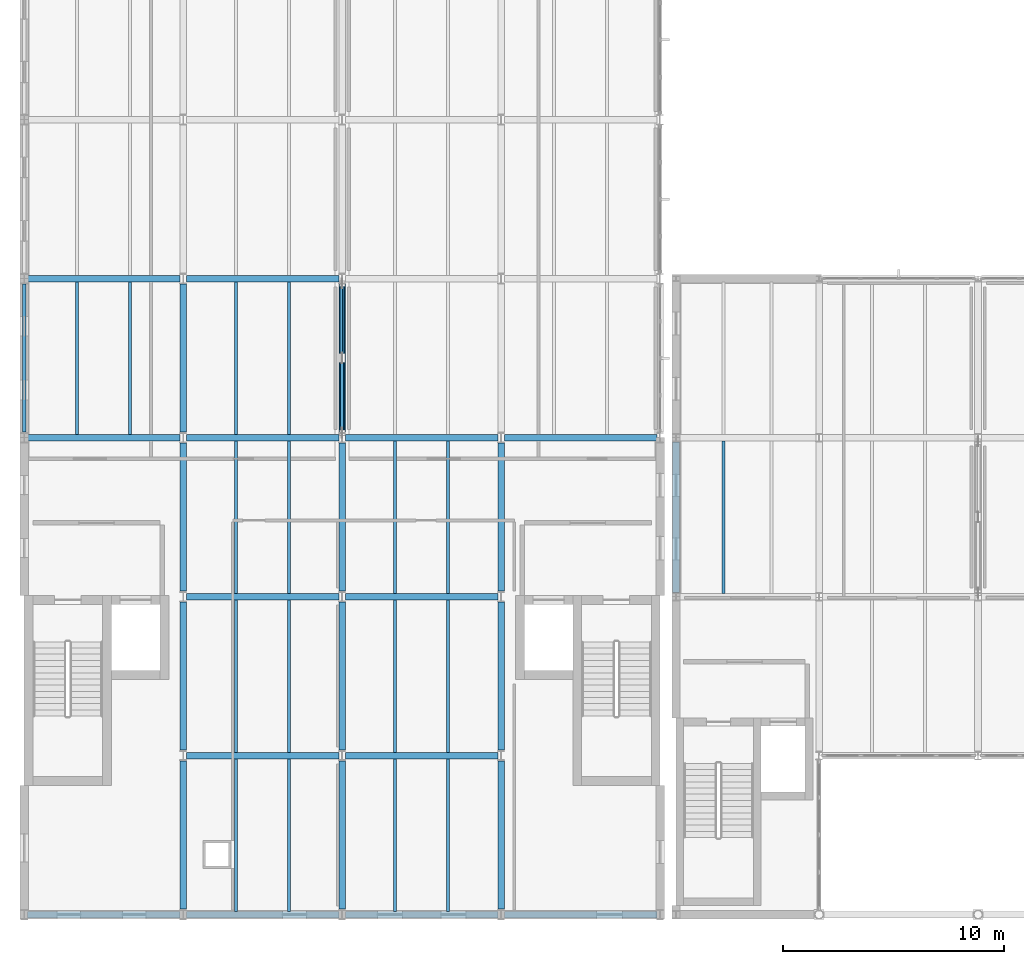
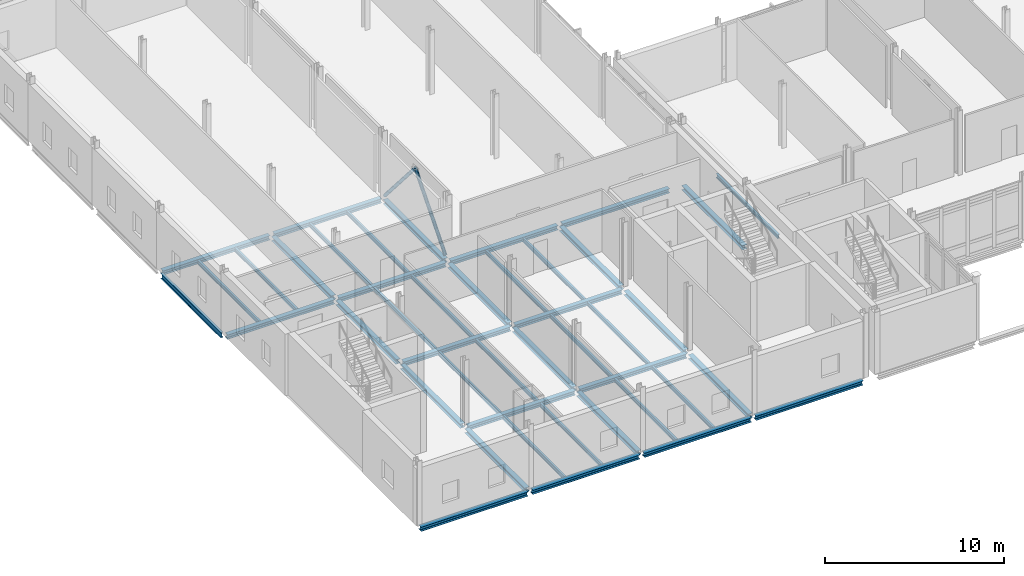
# One storey, part 13 of 72: 44 beams, 2 members.
"""IFC4 building model written with IfcOpenShell, lengths in metres."""

from ifc_helpers import new_model, si_unit, direction, frame, origin, origin_2d, place, context, subcontext, project, spatial, hollow_circle, i_section, extrude, material, material_profile, profile_set, type_object, element, save


model = new_model("IFC4")

# Units and contexts
model_context = context("Model", 3, precision=1e-05, world=origin(), true_north=direction((0.0, 1.0)))
body_context = subcontext(model_context, "Body", "Model", "MODEL_VIEW")
ifc_project = project(units=[si_unit("LENGTHUNIT", "METRE"), si_unit("AREAUNIT", "SQUARE_METRE"), si_unit("VOLUMEUNIT", "CUBIC_METRE"), si_unit("PLANEANGLEUNIT", "RADIAN"), si_unit("MASSUNIT", "GRAM", prefix="KILO")], contexts=[model_context])

# Site, building, storey
site_placement = place(None, origin())
site = spatial("IfcSite", under=ifc_project, at=site_placement, CompositionType="ELEMENT")
building_placement = place(site_placement, origin())
building = spatial("IfcBuilding", under=site, at=building_placement, Name="Zarrinpeak Specialist Clinic", CompositionType="ELEMENT")
storey_placement = place(building_placement, frame((0.0, 0.0, 9.60009765625)))
storey = spatial("IfcBuildingStorey", under=building, at=storey_placement, Name="L02", CompositionType="ELEMENT", Elevation=9.60009765625)

# Beams
ifc_material = material(Name="Steel S355", Category="steel")
ifc_material_profile_1 = material_profile(ifc_material, i_section(OverallWidth=0.300048828125, OverallDepth=0.2900390625, WebThickness=0.008544921875, FlangeThickness=0.013916015625, FilletRadius=0.027099609375, at=origin_2d()), Name="HEA 300")
ifc_profile_set_1 = profile_set([ifc_material_profile_1], Name="Steel S355")
beam_type_1 = type_object("IfcBeamType", Name="BM-HEA300", PredefinedType="BEAM", material=ifc_profile_set_1)
for number, where, z_axis, x_axis, name in (
    (1, (0.14794921875, 0.0, -0.360107421875), (1.0, 0.0, 0.0), (0.0, 1.0, 0.0), "L02 Primary Floor Girder BM-L02-X1108"),
    (2, (7.347900390625, 0.0, -0.360107421875), (1.0, 0.0, 0.0), (0.0, 1.0, 0.0), "L02 Primary Floor Girder BM-L02-X1109"),
):
    element("IfcBeam", number, at=place(storey_placement, frame(where, z_axis=z_axis, x_axis=x_axis)), inside=storey, type_object=beam_type_1, Name=name, PredefinedType="BEAM", context=body_context, shape_type="SweptSolid", body=[
        extrude(i_section(OverallWidth=0.300048828125, OverallDepth=0.2900390625, WebThickness=0.008544921875, FlangeThickness=0.013916015625, FilletRadius=0.027099609375, at=origin_2d()), origin(), (0.0, 0.0, 1.0), 6.904052734375),
    ])
beam_1_placement = place(storey_placement, frame((14.548095703125, 0.0, -0.360107421875), z_axis=(1.0, 0.0, 0.0), x_axis=(0.0, 1.0, 0.0)))
element("IfcBeam", 3, at=beam_1_placement, inside=storey, type_object=beam_type_1, Name="L02 Primary Floor Girder BM-L02-X1110", PredefinedType="BEAM", context=body_context, shape_type="SweptSolid", body=[
    extrude(i_section(OverallWidth=0.300048828125, OverallDepth=0.2900390625, WebThickness=0.008544921875, FlangeThickness=0.013916015625, FilletRadius=0.027099609375, at=origin_2d()), origin(), (0.0, 0.0, 1.0), 6.90380859375),
])
for number, where, z_axis, x_axis, name in (
    (4, (21.748046875, 0.0, -0.360107421875), (1.0, 0.0, 0.0), (0.0, 1.0, 0.0), "L02 Primary Floor Girder BM-L02-X1111"),
    (5, (7.347900390625, 7.199951171875, -0.360107421875), (1.0, 0.0, 0.0), (0.0, 1.0, 0.0), "L02 Primary Floor Girder BM-L02-X1120"),
):
    element("IfcBeam", number, at=place(storey_placement, frame(where, z_axis=z_axis, x_axis=x_axis)), inside=storey, type_object=beam_type_1, Name=name, PredefinedType="BEAM", context=body_context, shape_type="SweptSolid", body=[
        extrude(i_section(OverallWidth=0.300048828125, OverallDepth=0.2900390625, WebThickness=0.008544921875, FlangeThickness=0.013916015625, FilletRadius=0.027099609375, at=origin_2d()), origin(), (0.0, 0.0, 1.0), 6.904052734375),
    ])
beam_2_placement = place(storey_placement, frame((14.548095703125, 7.199951171875, -0.360107421875), z_axis=(1.0, 0.0, 0.0), x_axis=(0.0, 1.0, 0.0)))
element("IfcBeam", 6, at=beam_2_placement, inside=storey, type_object=beam_type_1, Name="L02 Primary Floor Girder BM-L02-X1121", PredefinedType="BEAM", context=body_context, shape_type="SweptSolid", body=[
    extrude(i_section(OverallWidth=0.300048828125, OverallDepth=0.2900390625, WebThickness=0.008544921875, FlangeThickness=0.013916015625, FilletRadius=0.027099609375, at=origin_2d()), origin(), (0.0, 0.0, 1.0), 6.90380859375),
])
beam_3_placement = place(storey_placement, frame((7.347900390625, 14.39990234375, -0.360107421875), z_axis=(1.0, 0.0, 0.0), x_axis=(0.0, 1.0, 0.0)))
element("IfcBeam", 7, at=beam_3_placement, inside=storey, type_object=beam_type_1, Name="L02 Primary Floor Girder BM-L02-X1125", PredefinedType="BEAM", context=body_context, shape_type="SweptSolid", body=[
    extrude(i_section(OverallWidth=0.300048828125, OverallDepth=0.2900390625, WebThickness=0.008544921875, FlangeThickness=0.013916015625, FilletRadius=0.027099609375, at=origin_2d()), origin(), (0.0, 0.0, 1.0), 6.904052734375),
])
beam_4_placement = place(storey_placement, frame((14.548095703125, 14.39990234375, -0.360107421875), z_axis=(1.0, 0.0, 0.0), x_axis=(0.0, 1.0, 0.0)))
element("IfcBeam", 8, at=beam_4_placement, inside=storey, type_object=beam_type_1, Name="L02 Primary Floor Girder BM-L02-X1126", PredefinedType="BEAM", context=body_context, shape_type="SweptSolid", body=[
    extrude(i_section(OverallWidth=0.300048828125, OverallDepth=0.2900390625, WebThickness=0.008544921875, FlangeThickness=0.013916015625, FilletRadius=0.027099609375, at=origin_2d()), origin(), (0.0, 0.0, 1.0), 6.90380859375),
])
for number, where, z_axis, x_axis, name in (
    (9, (0.14794921875, 21.60009765625, -0.360107421875), (1.0, 0.0, 0.0), (0.0, 1.0, 0.0), "L02 Primary Floor Girder BM-L02-X1135"),
    (10, (7.347900390625, 21.60009765625, -0.360107421875), (1.0, 0.0, 0.0), (0.0, 1.0, 0.0), "L02 Primary Floor Girder BM-L02-X1136"),
):
    element("IfcBeam", number, at=place(storey_placement, frame(where, z_axis=z_axis, x_axis=x_axis)), inside=storey, type_object=beam_type_1, Name=name, PredefinedType="BEAM", context=body_context, shape_type="SweptSolid", body=[
        extrude(i_section(OverallWidth=0.300048828125, OverallDepth=0.2900390625, WebThickness=0.008544921875, FlangeThickness=0.013916015625, FilletRadius=0.027099609375, at=origin_2d()), origin(), (0.0, 0.0, 1.0), 6.904052734375),
    ])
beam_5_placement = place(storey_placement, frame((14.548095703125, 21.60009765625, -0.360107421875), z_axis=(1.0, 0.0, 0.0), x_axis=(0.0, 1.0, 0.0)))
element("IfcBeam", 11, at=beam_5_placement, inside=storey, type_object=beam_type_1, Name="L02 Primary Floor Girder BM-L02-X1137", PredefinedType="BEAM", context=body_context, shape_type="SweptSolid", body=[
    extrude(i_section(OverallWidth=0.300048828125, OverallDepth=0.2900390625, WebThickness=0.008544921875, FlangeThickness=0.013916015625, FilletRadius=0.027099609375, at=origin_2d()), origin(), (0.0, 0.0, 1.0), 6.90380859375),
])
for number, where, z_axis, x_axis, name in (
    (12, (21.748046875, 21.60009765625, -0.360107421875), (1.0, 0.0, 0.0), (0.0, 1.0, 0.0), "L02 Primary Floor Girder BM-L02-X1138"),
    (13, (0.14794921875, 28.800048828125, -0.360107421875), (1.0, 0.0, 0.0), (0.0, 1.0, 0.0), "L02 Primary Floor Girder BM-L02-X1147"),
    (14, (7.347900390625, 28.800048828125, -0.360107421875), (1.0, 0.0, 0.0), (0.0, 1.0, 0.0), "L02 Primary Floor Girder BM-L02-X1148"),
):
    element("IfcBeam", number, at=place(storey_placement, frame(where, z_axis=z_axis, x_axis=x_axis)), inside=storey, type_object=beam_type_1, Name=name, PredefinedType="BEAM", context=body_context, shape_type="SweptSolid", body=[
        extrude(i_section(OverallWidth=0.300048828125, OverallDepth=0.2900390625, WebThickness=0.008544921875, FlangeThickness=0.013916015625, FilletRadius=0.027099609375, at=origin_2d()), origin(), (0.0, 0.0, 1.0), 6.904052734375),
    ])
beam_6_placement = place(storey_placement, frame((7.199951171875, 0.248046875, -0.360107421875), z_axis=(0.0, 1.0, 0.0), x_axis=(-1.0, 0.0, 0.0)))
element("IfcBeam", 15, at=beam_6_placement, inside=storey, type_object=beam_type_1, Name="L02 Primary Beam BM-L02-Y1230", PredefinedType="BEAM", context=body_context, shape_type="SweptSolid", body=[
    extrude(i_section(OverallWidth=0.300048828125, OverallDepth=0.2900390625, WebThickness=0.008544921875, FlangeThickness=0.013916015625, FilletRadius=0.027099609375, at=origin_2d()), origin(), (0.0, 0.0, 1.0), 6.703857421875),
])
for number, where, z_axis, x_axis, name in (
    (16, (7.199951171875, 7.447998046875, -0.360107421875), (0.0, 1.0, 0.0), (-1.0, 0.0, 0.0), "L02 Primary Beam BM-L02-Y1231"),
    (17, (7.199951171875, 14.64794921875, -0.360107421875), (0.0, 1.0, 0.0), (-1.0, 0.0, 0.0), "L02 Primary Beam BM-L02-Y1232"),
    (18, (7.199951171875, 21.847900390625, -0.360107421875), (0.0, 1.0, 0.0), (-1.0, 0.0, 0.0), "L02 Primary Beam BM-L02-Y1233"),
):
    element("IfcBeam", number, at=place(storey_placement, frame(where, z_axis=z_axis, x_axis=x_axis)), inside=storey, type_object=beam_type_1, Name=name, PredefinedType="BEAM", context=body_context, shape_type="SweptSolid", body=[
        extrude(i_section(OverallWidth=0.300048828125, OverallDepth=0.2900390625, WebThickness=0.008544921875, FlangeThickness=0.013916015625, FilletRadius=0.027099609375, at=origin_2d()), origin(), (0.0, 0.0, 1.0), 6.7041015625),
    ])
beam_7_placement = place(storey_placement, frame((14.39990234375, 0.248046875, -0.360107421875), z_axis=(0.0, 1.0, 0.0), x_axis=(-1.0, 0.0, 0.0)))
element("IfcBeam", 19, at=beam_7_placement, inside=storey, type_object=beam_type_1, Name="L02 Primary Beam BM-L02-Y1242", PredefinedType="BEAM", context=body_context, shape_type="SweptSolid", body=[
    extrude(i_section(OverallWidth=0.300048828125, OverallDepth=0.2900390625, WebThickness=0.008544921875, FlangeThickness=0.013916015625, FilletRadius=0.027099609375, at=origin_2d()), origin(), (0.0, 0.0, 1.0), 6.703857421875),
])
for number, where, z_axis, x_axis, name in (
    (20, (14.39990234375, 7.447998046875, -0.360107421875), (0.0, 1.0, 0.0), (-1.0, 0.0, 0.0), "L02 Primary Beam BM-L02-Y1243"),
    (21, (14.39990234375, 14.64794921875, -0.360107421875), (0.0, 1.0, 0.0), (-1.0, 0.0, 0.0), "L02 Primary Beam BM-L02-Y1244"),
    (22, (14.39990234375, 21.847900390625, -0.360107421875), (0.0, 1.0, 0.0), (-1.0, 0.0, 0.0), "L02 Primary Beam BM-L02-Y1245"),
):
    element("IfcBeam", number, at=place(storey_placement, frame(where, z_axis=z_axis, x_axis=x_axis)), inside=storey, type_object=beam_type_1, Name=name, PredefinedType="BEAM", context=body_context, shape_type="SweptSolid", body=[
        extrude(i_section(OverallWidth=0.300048828125, OverallDepth=0.2900390625, WebThickness=0.008544921875, FlangeThickness=0.013916015625, FilletRadius=0.027099609375, at=origin_2d()), origin(), (0.0, 0.0, 1.0), 6.7041015625),
    ])
beam_8_placement = place(storey_placement, frame((21.60009765625, 0.248046875, -0.360107421875), z_axis=(0.0, 1.0, 0.0), x_axis=(-1.0, 0.0, 0.0)))
element("IfcBeam", 23, at=beam_8_placement, inside=storey, type_object=beam_type_1, Name="L02 Primary Beam BM-L02-Y1254", PredefinedType="BEAM", context=body_context, shape_type="SweptSolid", body=[
    extrude(i_section(OverallWidth=0.300048828125, OverallDepth=0.2900390625, WebThickness=0.008544921875, FlangeThickness=0.013916015625, FilletRadius=0.027099609375, at=origin_2d()), origin(), (0.0, 0.0, 1.0), 6.703857421875),
])
for number, where, z_axis, x_axis, name in (
    (24, (21.60009765625, 7.447998046875, -0.360107421875), (0.0, 1.0, 0.0), (-1.0, 0.0, 0.0), "L02 Primary Beam BM-L02-Y1255"),
    (25, (21.60009765625, 14.64794921875, -0.360107421875), (0.0, 1.0, 0.0), (-1.0, 0.0, 0.0), "L02 Primary Beam BM-L02-Y1256"),
):
    element("IfcBeam", number, at=place(storey_placement, frame(where, z_axis=z_axis, x_axis=x_axis)), inside=storey, type_object=beam_type_1, Name=name, PredefinedType="BEAM", context=body_context, shape_type="SweptSolid", body=[
        extrude(i_section(OverallWidth=0.300048828125, OverallDepth=0.2900390625, WebThickness=0.008544921875, FlangeThickness=0.013916015625, FilletRadius=0.027099609375, at=origin_2d()), origin(), (0.0, 0.0, 1.0), 6.7041015625),
    ])
beam_9_placement = place(storey_placement, frame((29.52001953125, 14.597900390625, -0.360107421875), z_axis=(0.0, 1.0, 0.0), x_axis=(-1.0, 0.0, 0.0)))
element("IfcBeam", 26, at=beam_9_placement, inside=storey, type_object=beam_type_1, Name="L02 Primary Beam BM-L02-Y1273", PredefinedType="BEAM", context=body_context, shape_type="SweptSolid", body=[
    extrude(i_section(OverallWidth=0.300048828125, OverallDepth=0.2900390625, WebThickness=0.008544921875, FlangeThickness=0.013916015625, FilletRadius=0.027099609375, at=origin_2d()), origin(), (0.0, 0.0, 1.0), 6.80419921875),
])
ifc_material_profile_2 = material_profile(ifc_material, i_section(OverallWidth=0.135009765625, OverallDepth=0.27001953125, WebThickness=0.006591796875, FlangeThickness=0.01025390625, FilletRadius=0.014892578125, at=origin_2d()), Name="IPE 270")
ifc_profile_set_2 = profile_set([ifc_material_profile_2], Name="Steel S355")
beam_type_2 = type_object("IfcBeamType", Name="BM-JST270", PredefinedType="JOIST", material=ifc_profile_set_2)
for number, where, z_axis, x_axis, name in (
    (27, (2.39990234375, 21.748046875, -0.35009765625), (0.0, 1.0, 0.0), (-1.0, 0.0, 0.0), "L02 Composite Floor Joist JST-L02-1331"),
    (28, (4.800048828125, 21.748046875, -0.35009765625), (0.0, 1.0, 0.0), (-1.0, 0.0, 0.0), "L02 Composite Floor Joist JST-L02-1332"),
    (29, (9.60009765625, 0.14794921875, -0.35009765625), (0.0, 1.0, 0.0), (-1.0, 0.0, 0.0), "L02 Composite Floor Joist JST-L02-1339"),
    (30, (12.0, 0.14794921875, -0.35009765625), (0.0, 1.0, 0.0), (-1.0, 0.0, 0.0), "L02 Composite Floor Joist JST-L02-1340"),
    (31, (9.60009765625, 7.347900390625, -0.35009765625), (0.0, 1.0, 0.0), (-1.0, 0.0, 0.0), "L02 Composite Floor Joist JST-L02-1341"),
    (32, (12.0, 7.347900390625, -0.35009765625), (0.0, 1.0, 0.0), (-1.0, 0.0, 0.0), "L02 Composite Floor Joist JST-L02-1342"),
):
    element("IfcBeam", number, at=place(storey_placement, frame(where, z_axis=z_axis, x_axis=x_axis)), inside=storey, type_object=beam_type_2, Name=name, PredefinedType="JOIST", context=body_context, shape_type="SweptSolid", body=[
        extrude(i_section(OverallWidth=0.135009765625, OverallDepth=0.27001953125, WebThickness=0.006591796875, FlangeThickness=0.01025390625, FilletRadius=0.014892578125, at=origin_2d()), origin(), (0.0, 0.0, 1.0), 6.904052734375),
    ])
for number, where, z_axis, x_axis, name in (
    (33, (9.60009765625, 14.548095703125, -0.35009765625), (0.0, 1.0, 0.0), (-1.0, 0.0, 0.0), "L02 Composite Floor Joist JST-L02-1343"),
    (34, (12.0, 14.548095703125, -0.35009765625), (0.0, 1.0, 0.0), (-1.0, 0.0, 0.0), "L02 Composite Floor Joist JST-L02-1344"),
):
    element("IfcBeam", number, at=place(storey_placement, frame(where, z_axis=z_axis, x_axis=x_axis)), inside=storey, type_object=beam_type_2, Name=name, PredefinedType="JOIST", context=body_context, shape_type="SweptSolid", body=[
        extrude(i_section(OverallWidth=0.135009765625, OverallDepth=0.27001953125, WebThickness=0.006591796875, FlangeThickness=0.01025390625, FilletRadius=0.014892578125, at=origin_2d()), origin(), (0.0, 0.0, 1.0), 6.90380859375),
    ])
for number, where, z_axis, x_axis, name in (
    (35, (9.60009765625, 21.748046875, -0.35009765625), (0.0, 1.0, 0.0), (-1.0, 0.0, 0.0), "L02 Composite Floor Joist JST-L02-1345"),
    (36, (12.0, 21.748046875, -0.35009765625), (0.0, 1.0, 0.0), (-1.0, 0.0, 0.0), "L02 Composite Floor Joist JST-L02-1346"),
    (37, (16.800048828125, 0.14794921875, -0.35009765625), (0.0, 1.0, 0.0), (-1.0, 0.0, 0.0), "L02 Composite Floor Joist JST-L02-1353"),
    (38, (19.199951171875, 0.14794921875, -0.35009765625), (0.0, 1.0, 0.0), (-1.0, 0.0, 0.0), "L02 Composite Floor Joist JST-L02-1354"),
    (39, (16.800048828125, 7.347900390625, -0.35009765625), (0.0, 1.0, 0.0), (-1.0, 0.0, 0.0), "L02 Composite Floor Joist JST-L02-1355"),
    (40, (19.199951171875, 7.347900390625, -0.35009765625), (0.0, 1.0, 0.0), (-1.0, 0.0, 0.0), "L02 Composite Floor Joist JST-L02-1356"),
):
    element("IfcBeam", number, at=place(storey_placement, frame(where, z_axis=z_axis, x_axis=x_axis)), inside=storey, type_object=beam_type_2, Name=name, PredefinedType="JOIST", context=body_context, shape_type="SweptSolid", body=[
        extrude(i_section(OverallWidth=0.135009765625, OverallDepth=0.27001953125, WebThickness=0.006591796875, FlangeThickness=0.01025390625, FilletRadius=0.014892578125, at=origin_2d()), origin(), (0.0, 0.0, 1.0), 6.904052734375),
    ])
for number, where, z_axis, x_axis, name in (
    (41, (16.800048828125, 14.548095703125, -0.35009765625), (0.0, 1.0, 0.0), (-1.0, 0.0, 0.0), "L02 Composite Floor Joist JST-L02-1357"),
    (42, (19.199951171875, 14.548095703125, -0.35009765625), (0.0, 1.0, 0.0), (-1.0, 0.0, 0.0), "L02 Composite Floor Joist JST-L02-1358"),
    (43, (31.679931640625, 14.548095703125, -0.35009765625), (0.0, 1.0, 0.0), (-1.0, 0.0, 0.0), "L02 Composite Floor Joist JST-L02-1375"),
):
    element("IfcBeam", number, at=place(storey_placement, frame(where, z_axis=z_axis, x_axis=x_axis)), inside=storey, type_object=beam_type_2, Name=name, PredefinedType="JOIST", context=body_context, shape_type="SweptSolid", body=[
        extrude(i_section(OverallWidth=0.135009765625, OverallDepth=0.27001953125, WebThickness=0.006591796875, FlangeThickness=0.01025390625, FilletRadius=0.014892578125, at=origin_2d()), origin(), (0.0, 0.0, 1.0), 6.90380859375),
    ])
ifc_material_profile_3 = material_profile(ifc_material, i_section(OverallWidth=0.169921875, OverallDepth=0.360107421875, WebThickness=0.008056640625, FlangeThickness=0.0126953125, FilletRadius=0.01806640625, at=origin_2d()), Name="IPE 360")
ifc_profile_set_3 = profile_set([ifc_material_profile_3], Name="Steel S355")
beam_type_3 = type_object("IfcBeamType", Name="BM-SP360", PredefinedType="SPANDREL", material=ifc_profile_set_3)
beam_10_placement = place(storey_placement, frame((0.0, 21.847900390625, -0.39501953125), z_axis=(0.0, 1.0, 0.0), x_axis=(-1.0, 0.0, 0.0)))
element("IfcBeam", 44, at=beam_10_placement, inside=storey, type_object=beam_type_3, Name="L02 Perimeter Spandrel Beam BM-L02-Y1223", PredefinedType="SPANDREL", context=body_context, shape_type="SweptSolid", body=[
    extrude(i_section(OverallWidth=0.169921875, OverallDepth=0.360107421875, WebThickness=0.008056640625, FlangeThickness=0.0126953125, FilletRadius=0.01806640625, at=origin_2d()), origin(), (0.0, 0.0, 1.0), 6.7041015625),
])

# Members
ifc_material_profile_4 = material_profile(ifc_material, hollow_circle(Radius=0.109619140625, WallThickness=0.010009765625, at=origin_2d()), Name="CHS 219.1x10.0")
ifc_profile_set_4 = profile_set([ifc_material_profile_4], Name="Steel S355")
member_type = type_object("IfcMemberType", Name="MB-BR219", PredefinedType="BRACE", material=ifc_profile_set_4)
for number, where, z_axis, x_axis, name in (
    (45, (14.39990234375, 21.824951171875, 0.0048828125), (0.0, 0.653894455282, 0.756585779242), (-1.0, 0.0, 0.0), "V1 L02 Seismic Concentric Brace CBF-005"),
    (46, (14.39990234375, 28.574951171875, 0.0048828125), (0.0, -0.653894455282, 0.756585779242), (1.0, 0.0, 0.0), "V1 L02 Seismic Concentric Brace CBF-006"),
):
    element("IfcMember", number, at=place(storey_placement, frame(where, z_axis=z_axis, x_axis=x_axis)), inside=storey, type_object=member_type, Name=name, PredefinedType="BRACE", context=body_context, shape_type="SweptSolid", body=[
        extrude(hollow_circle(Radius=0.109619140625, WallThickness=0.010009765625, at=origin_2d()), origin(), (0.0, 0.0, 1.0), 5.161376953125),
    ])

save(model, "model.ifc")
